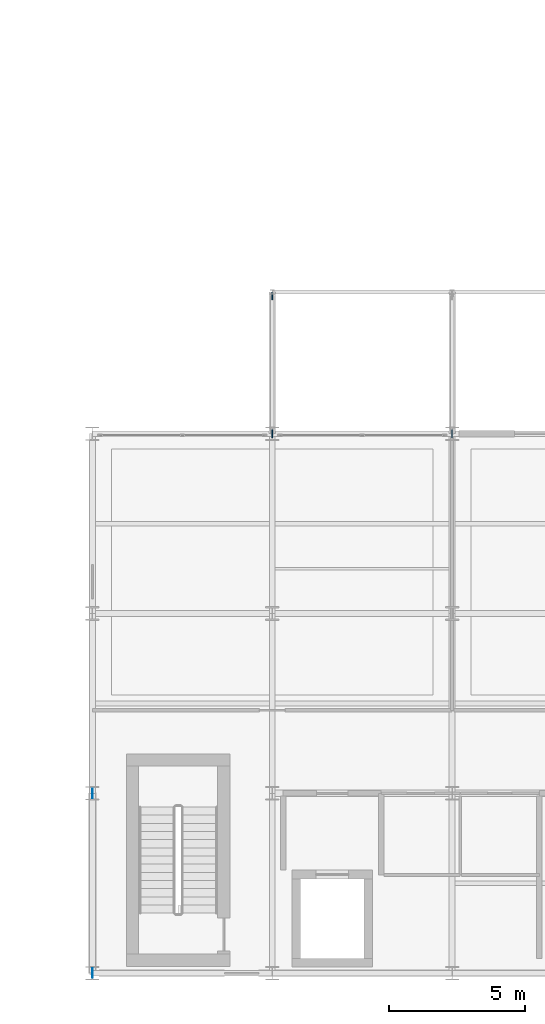
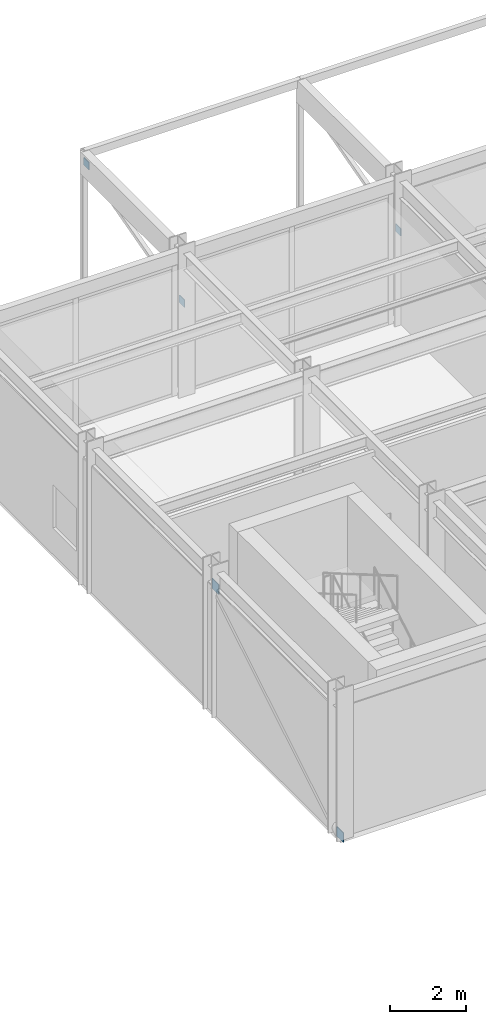
# One storey, part 112 of 144: 5 plates.
"""IFC4 building model written with IfcOpenShell, lengths in metres."""

import ifcopenshell
import ifcopenshell.guid

model = None  # the IFC model being written
_history = None  # IfcOwnerHistory: only IFC2X3 demands one
_inside = {}  # id of a spatial element -> (the spatial element, [elements in it])
_under = {}  # id of a project, library or spatial element -> (it, [spatial elements below it])
_declared = {}  # id of a project -> (the project, [libraries it declares])
_typed = {}  # id of a type object -> (the type object, [elements of that type])
_made_of = {}  # id of a material, layer set ... -> (it, [elements and type objects made of it])


def new_model(schema):
    """Start an empty IFC model of exactly this schema.

    Asked for "IFC4X3", IfcOpenShell would pick the latest addendum, in which some entities
    have other attributes; the version numbers below select the first issue.
    IFC2X3 requires an IfcOwnerHistory on every rooted entity: one is made here for all.
    """
    global model, _history
    if schema == "IFC4X3":
        model = ifcopenshell.file(schema_version=(4, 3, 0, 0))
    else:
        model = ifcopenshell.file(schema=schema)
    _inside.clear()
    _under.clear()
    _declared.clear()
    _typed.clear()
    _made_of.clear()
    _history = None
    if model.schema == "IFC2X3":
        org = make("IfcOrganization", Name="unknown")
        user = make(
            "IfcPersonAndOrganization",
            ThePerson=make("IfcPerson", FamilyName="unknown"),
            TheOrganization=org,
        )
        app = make(
            "IfcApplication",
            ApplicationDeveloper=org,
            Version="unknown",
            ApplicationFullName="unknown",
            ApplicationIdentifier="unknown",
        )
        _history = make(
            "IfcOwnerHistory",
            OwningUser=user,
            OwningApplication=app,
            ChangeAction="ADDED",
            CreationDate=0,
        )
    return model


def make(cls, **values):
    """One entity of the class cls with the attributes given. An attribute that is None is left unset."""
    return model.create_entity(
        cls, **{name: value for name, value in values.items() if value is not None}
    )


def rooted(cls, **values):
    """An entity with a GlobalId (a new one), such as an element, a storey or a relation."""
    return make(cls, GlobalId=ifcopenshell.guid.new(), OwnerHistory=_history, **values)


def si_unit(unit_type, name, prefix=None):
    """IfcSIUnit, for example si_unit("LENGTHUNIT", "METRE", prefix="MILLI")."""
    return make("IfcSIUnit", UnitType=unit_type, Prefix=prefix, Name=name)


def assignment(units):
    """IfcUnitAssignment: the units of a project."""
    return None if units is None else make("IfcUnitAssignment", Units=units)


def point(xyz):
    """IfcCartesianPoint."""
    return None if xyz is None else make("IfcCartesianPoint", Coordinates=xyz)


def direction(xyz):
    """IfcDirection."""
    return None if xyz is None else make("IfcDirection", DirectionRatios=xyz)


def frame(location, z_axis=None, x_axis=None):
    """IfcAxis2Placement3D, a coordinate frame: its origin and axes. An axis left out is left unset."""
    return make(
        "IfcAxis2Placement3D",
        Location=point(location),
        Axis=direction(z_axis),
        RefDirection=direction(x_axis),
    )


def frame_2d(location, x_axis=None):
    """IfcAxis2Placement2D, a coordinate frame in the plane: its origin and x axis."""
    return make(
        "IfcAxis2Placement2D", Location=point(location), RefDirection=direction(x_axis)
    )


def origin():
    """The frame at (0, 0, 0) with its axes left unset."""
    return frame((0.0, 0.0, 0.0))


def origin_2d():
    """The frame at (0, 0) in the plane with its x axis left unset."""
    return frame_2d((0.0, 0.0))


def place(relative_to, where):
    """IfcLocalPlacement: puts the frame where relative to a parent placement (None: the world)."""
    return make(
        "IfcLocalPlacement", PlacementRelTo=relative_to, RelativePlacement=where
    )


def context(
    kind, dimensions, precision=None, world=None, true_north=None, identifier=None
):
    """IfcGeometricRepresentationContext, for example the 3D "Model" context."""
    return make(
        "IfcGeometricRepresentationContext",
        ContextIdentifier=identifier,
        ContextType=kind,
        CoordinateSpaceDimension=dimensions,
        Precision=precision,
        WorldCoordinateSystem=world,
        TrueNorth=true_north,
    )


def subcontext(parent, identifier, kind, view, scale=None):
    """IfcGeometricRepresentationSubContext, for example "Body" below "Model"."""
    return make(
        "IfcGeometricRepresentationSubContext",
        ContextIdentifier=identifier,
        ContextType=kind,
        ParentContext=parent,
        TargetScale=scale,
        TargetView=view,
    )


def project(units=None, contexts=None):
    """IfcProject with its units and contexts."""
    return rooted(
        "IfcProject",
        Name="project",
        RepresentationContexts=contexts,
        UnitsInContext=assignment(units),
    )


def spatial(cls, under=None, at=None, **own):
    """A site, building, storey or space (cls), placed at a placement, below another one or the project."""
    s = rooted(cls, ObjectPlacement=at, **own)
    if under is not None:
        _under.setdefault(under.id(), (under, []))[1].append(s)
    return s


def profile(cls, at=None, kind="AREA", **sizes):
    """A parametric profile (cls). Its sizes go by their IFC names, for example OverallWidth=200.0."""
    return make(cls, ProfileType=kind, Position=at, **sizes)


def rectangle(**sizes):
    """IfcRectangleProfileDef."""
    return profile("IfcRectangleProfileDef", **sizes)


def extrude(swept, where, along, depth):
    """IfcExtrudedAreaSolid: the profile swept, set in the frame where, extruded along a direction by depth."""
    return make(
        "IfcExtrudedAreaSolid",
        SweptArea=swept,
        Position=where,
        ExtrudedDirection=direction(along),
        Depth=depth,
    )


def shape(context_of_items, identifier, shape_type, items):
    """IfcShapeRepresentation: the items that make up one representation, for example the "Body"."""
    return make(
        "IfcShapeRepresentation",
        ContextOfItems=context_of_items,
        RepresentationIdentifier=identifier,
        RepresentationType=shape_type,
        Items=items,
    )


def material(Name=None, Category=None):
    """IfcMaterial."""
    return make("IfcMaterial", Name=Name, Category=Category)


def layer(
    of_material, thickness, ventilated=None, Name=None, Category=None, Priority=None
):
    """IfcMaterialLayer: one layer of a wall or slab, of a material (None: an air gap)."""
    return make(
        "IfcMaterialLayer",
        Material=of_material,
        LayerThickness=thickness,
        IsVentilated=ventilated,
        Name=Name,
        Category=Category,
        Priority=Priority,
    )


def layer_set(layers, Name=None):
    """IfcMaterialLayerSet."""
    return make("IfcMaterialLayerSet", MaterialLayers=layers, LayerSetName=Name)


def made_of(thing, what):
    """Note that an element or type object is made of a material, layer set ...; save() writes the relation."""
    if what is not None:
        _made_of.setdefault(what.id(), (what, []))[1].append(thing)
    return thing


def type_object(cls, material=None, **own):
    """A type object (cls), such as IfcWallType, which elements share."""
    return made_of(rooted(cls, **own), material)


def element(
    cls,
    number,
    at=None,
    inside=None,
    cuts=None,
    type_object=None,
    material=None,
    context=None,
    identifier="Body",
    shape_type=None,
    held_by="IfcProductDefinitionShape",
    body=None,
    shapes=None,
    **own,
):
    """One element of the class cls, such as IfcWall. Its Tag is "e" and its number.

    at: its placement. inside: the storey or other place that contains it. cuts: it is an
    opening in that element (IfcRelVoidsElement). A single representation is given by context,
    identifier, shape_type and body (its items); several are given by shapes. held_by: the class
    of the entity that holds the representations. save() writes the other relations.
    """
    e = rooted(cls, Tag="e%d" % number, ObjectPlacement=at, **own)
    if body is not None:
        shapes = [shape(context, identifier, shape_type, body)]
    if shapes is not None:
        e.Representation = make(held_by, Representations=shapes)
    if inside is not None:
        _inside.setdefault(inside.id(), (inside, []))[1].append(e)
    if cuts is not None:
        rooted(
            "IfcRelVoidsElement", RelatingBuildingElement=cuts, RelatedOpeningElement=e
        )
    if type_object is not None:
        _typed.setdefault(type_object.id(), (type_object, []))[1].append(e)
    return made_of(e, material)


def aggregate(whole, parts):
    """IfcRelAggregates: a whole, such as a stair, and the parts it consists of."""
    return rooted("IfcRelAggregates", RelatingObject=whole, RelatedObjects=parts)


def save(model, path):
    """Write the relations noted so far, then the file.

    IfcRelAggregates (storeys below a building ...), IfcRelContainedInSpatialStructure (elements
    in a storey), IfcRelDefinesByType, IfcRelAssociatesMaterial and IfcRelDeclares: one each for
    every whole, place, type object, material and project.
    """
    for whole, parts in _under.values():
        aggregate(whole, parts)
    for where, things in _inside.values():
        rooted(
            "IfcRelContainedInSpatialStructure",
            RelatedElements=things,
            RelatingStructure=where,
        )
    for kind, things in _typed.values():
        rooted("IfcRelDefinesByType", RelatedObjects=things, RelatingType=kind)
    for what, things in _made_of.values():
        rooted("IfcRelAssociatesMaterial", RelatedObjects=things, RelatingMaterial=what)
    for by, libraries in _declared.values():
        rooted("IfcRelDeclares", RelatingContext=by, RelatedDefinitions=libraries)
    model.write(path)


model = new_model("IFC4")

# Units and contexts
model_context = context("Model", 3, precision=1e-05, world=origin(), true_north=direction((0.0, 1.0)))
body_context = subcontext(model_context, "Body", "Model", "MODEL_VIEW")
ifc_project = project(units=[si_unit("LENGTHUNIT", "METRE"), si_unit("AREAUNIT", "SQUARE_METRE"), si_unit("VOLUMEUNIT", "CUBIC_METRE"), si_unit("PLANEANGLEUNIT", "RADIAN"), si_unit("MASSUNIT", "GRAM", prefix="KILO")], contexts=[model_context])

# Site, building, storey
site_placement = place(None, origin())
site = spatial("IfcSite", under=ifc_project, at=site_placement, CompositionType="ELEMENT")
building_placement = place(site_placement, origin())
building = spatial("IfcBuilding", under=site, at=building_placement, Name="Karori Crest Natural Sciences Institute", CompositionType="ELEMENT")
storey_placement = place(building_placement, origin())
storey = spatial("IfcBuildingStorey", under=building, at=storey_placement, Name="L00", CompositionType="ELEMENT", Elevation=0.0)

# Plates
ifc_material = material(Name="Structural steel AS/NZS 3679.1 Grade 350", Category="steel")
ifc_layer = layer(ifc_material, 0.02490234375, Name="Structural steel AS/NZS 3679.1 Grade 350")
ifc_layer_set = layer_set([ifc_layer], Name="Structural steel AS/NZS 3679.1 Grade 350")
plate_type = type_object("IfcPlateType", Name="PLT-06-EL", PredefinedType="SHEET", material=ifc_layer_set)
for number, where, z_axis, x_axis, name in (
    (1, (103.60009765625, 0.800048828125, -0.146484375), (0.0, 0.0, 1.0), (0.0, 1.0, 0.0), "Brace gusset plate EP-0388"),
    (2, (103.60009765625, 7.39990234375, 3.861572265625), (0.0, 0.0, 1.0), (0.0, 1.0, 0.0), "Brace gusset plate EP-0389"),
):
    element("IfcPlate", number, at=place(storey_placement, frame(where, z_axis=z_axis, x_axis=x_axis)), inside=storey, type_object=plate_type, Name=name, PredefinedType="SHEET", context=body_context, shape_type="SweptSolid", body=[
        extrude(rectangle(XDim=0.35302734375, YDim=0.02490234375, at=origin_2d()), origin(), (0.0, 0.0, 1.0), 0.31298828125),
    ])
for number, where, z_axis, x_axis, name in (
    (3, (110.199951171875, 20.60009765625, 2.77978515625), (0.0, 0.0, 1.0), (0.0, 1.0, 0.0), "Brace gusset plate EP-0454"),
    (4, (110.199951171875, 25.64990234375, 4.16015625), (0.0, 0.0, 1.0), (0.0, 1.0, 0.0), "Brace gusset plate EP-0455"),
    (5, (116.800048828125, 20.60009765625, 2.77978515625), (0.0, 0.0, 1.0), (0.0, 1.0, 0.0), "Brace gusset plate EP-0458"),
):
    element("IfcPlate", number, at=place(storey_placement, frame(where, z_axis=z_axis, x_axis=x_axis)), inside=storey, type_object=plate_type, Name=name, PredefinedType="SHEET", context=body_context, shape_type="SweptSolid", body=[
        extrude(rectangle(XDim=0.280029296875, YDim=0.02490234375, at=origin_2d()), origin(), (0.0, 0.0, 1.0), 0.239990234375),
    ])

save(model, "model.ifc")
